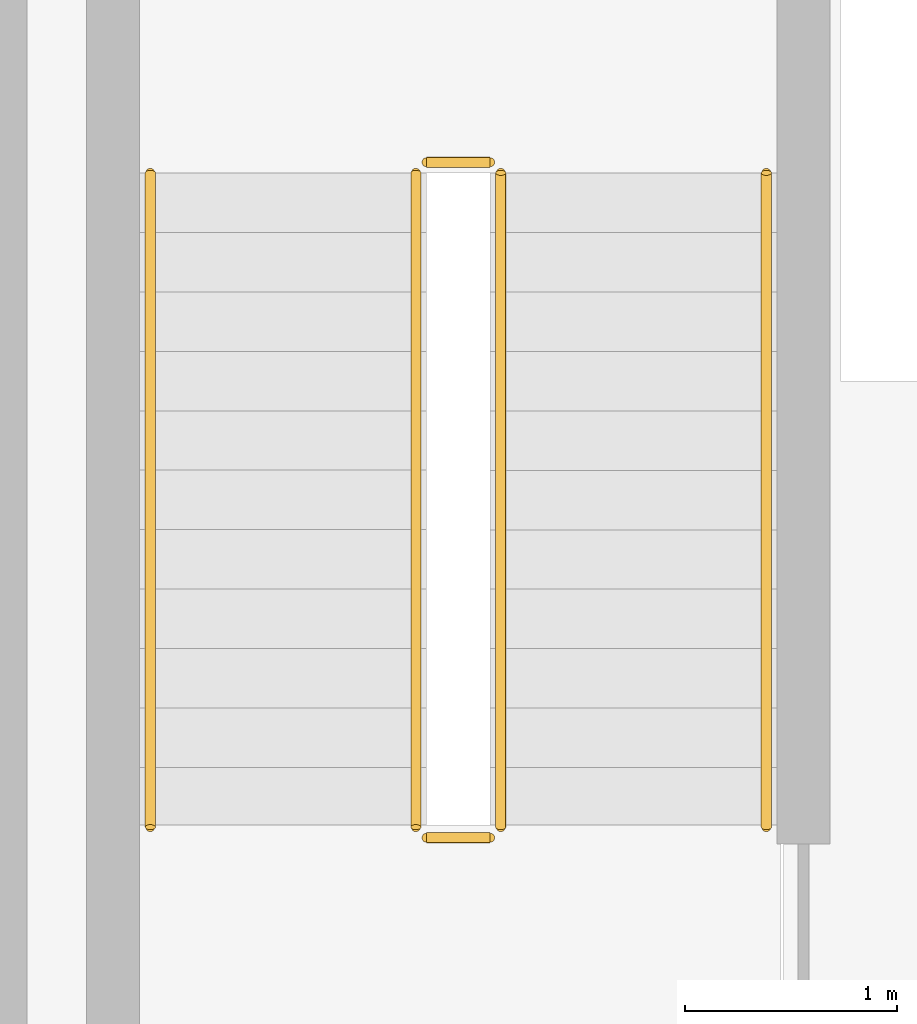
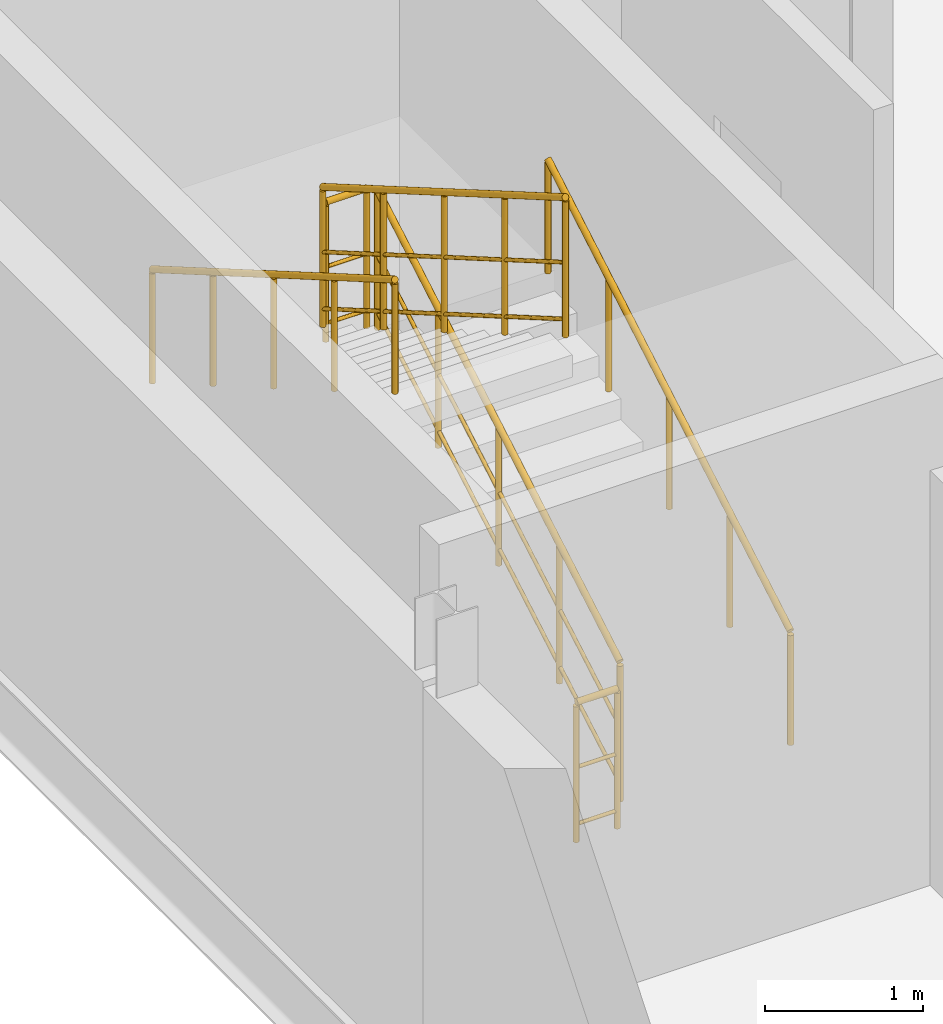
# One storey, part 14 of 14: 6 railings.
"""IFC4 building model written with IfcOpenShell, lengths in metres."""

import ifcopenshell
import ifcopenshell.guid

model = None  # the IFC model being written
_history = None  # IfcOwnerHistory: only IFC2X3 demands one
_inside = {}  # id of a spatial element -> (the spatial element, [elements in it])
_under = {}  # id of a project, library or spatial element -> (it, [spatial elements below it])
_declared = {}  # id of a project -> (the project, [libraries it declares])
_typed = {}  # id of a type object -> (the type object, [elements of that type])
_made_of = {}  # id of a material, layer set ... -> (it, [elements and type objects made of it])


def new_model(schema):
    """Start an empty IFC model of exactly this schema.

    Asked for "IFC4X3", IfcOpenShell would pick the latest addendum, in which some entities
    have other attributes; the version numbers below select the first issue.
    IFC2X3 requires an IfcOwnerHistory on every rooted entity: one is made here for all.
    """
    global model, _history
    if schema == "IFC4X3":
        model = ifcopenshell.file(schema_version=(4, 3, 0, 0))
    else:
        model = ifcopenshell.file(schema=schema)
    _inside.clear()
    _under.clear()
    _declared.clear()
    _typed.clear()
    _made_of.clear()
    _history = None
    if model.schema == "IFC2X3":
        org = make("IfcOrganization", Name="unknown")
        user = make(
            "IfcPersonAndOrganization",
            ThePerson=make("IfcPerson", FamilyName="unknown"),
            TheOrganization=org,
        )
        app = make(
            "IfcApplication",
            ApplicationDeveloper=org,
            Version="unknown",
            ApplicationFullName="unknown",
            ApplicationIdentifier="unknown",
        )
        _history = make(
            "IfcOwnerHistory",
            OwningUser=user,
            OwningApplication=app,
            ChangeAction="ADDED",
            CreationDate=0,
        )
    return model


def make(cls, **values):
    """One entity of the class cls with the attributes given. An attribute that is None is left unset."""
    return model.create_entity(
        cls, **{name: value for name, value in values.items() if value is not None}
    )


def rooted(cls, **values):
    """An entity with a GlobalId (a new one), such as an element, a storey or a relation."""
    return make(cls, GlobalId=ifcopenshell.guid.new(), OwnerHistory=_history, **values)


def si_unit(unit_type, name, prefix=None):
    """IfcSIUnit, for example si_unit("LENGTHUNIT", "METRE", prefix="MILLI")."""
    return make("IfcSIUnit", UnitType=unit_type, Prefix=prefix, Name=name)


def assignment(units):
    """IfcUnitAssignment: the units of a project."""
    return None if units is None else make("IfcUnitAssignment", Units=units)


def point(xyz):
    """IfcCartesianPoint."""
    return None if xyz is None else make("IfcCartesianPoint", Coordinates=xyz)


def direction(xyz):
    """IfcDirection."""
    return None if xyz is None else make("IfcDirection", DirectionRatios=xyz)


def frame(location, z_axis=None, x_axis=None):
    """IfcAxis2Placement3D, a coordinate frame: its origin and axes. An axis left out is left unset."""
    return make(
        "IfcAxis2Placement3D",
        Location=point(location),
        Axis=direction(z_axis),
        RefDirection=direction(x_axis),
    )


def frame_2d(location, x_axis=None):
    """IfcAxis2Placement2D, a coordinate frame in the plane: its origin and x axis."""
    return make(
        "IfcAxis2Placement2D", Location=point(location), RefDirection=direction(x_axis)
    )


def origin():
    """The frame at (0, 0, 0) with its axes left unset."""
    return frame((0.0, 0.0, 0.0))


def origin_2d():
    """The frame at (0, 0) in the plane with its x axis left unset."""
    return frame_2d((0.0, 0.0))


def place(relative_to, where):
    """IfcLocalPlacement: puts the frame where relative to a parent placement (None: the world)."""
    return make(
        "IfcLocalPlacement", PlacementRelTo=relative_to, RelativePlacement=where
    )


def context(
    kind, dimensions, precision=None, world=None, true_north=None, identifier=None
):
    """IfcGeometricRepresentationContext, for example the 3D "Model" context."""
    return make(
        "IfcGeometricRepresentationContext",
        ContextIdentifier=identifier,
        ContextType=kind,
        CoordinateSpaceDimension=dimensions,
        Precision=precision,
        WorldCoordinateSystem=world,
        TrueNorth=true_north,
    )


def subcontext(parent, identifier, kind, view, scale=None):
    """IfcGeometricRepresentationSubContext, for example "Body" below "Model"."""
    return make(
        "IfcGeometricRepresentationSubContext",
        ContextIdentifier=identifier,
        ContextType=kind,
        ParentContext=parent,
        TargetScale=scale,
        TargetView=view,
    )


def project(units=None, contexts=None):
    """IfcProject with its units and contexts."""
    return rooted(
        "IfcProject",
        Name="project",
        RepresentationContexts=contexts,
        UnitsInContext=assignment(units),
    )


def spatial(cls, under=None, at=None, **own):
    """A site, building, storey or space (cls), placed at a placement, below another one or the project."""
    s = rooted(cls, ObjectPlacement=at, **own)
    if under is not None:
        _under.setdefault(under.id(), (under, []))[1].append(s)
    return s


def profile(cls, at=None, kind="AREA", **sizes):
    """A parametric profile (cls). Its sizes go by their IFC names, for example OverallWidth=200.0."""
    return make(cls, ProfileType=kind, Position=at, **sizes)


def circle(**sizes):
    """IfcCircleProfileDef."""
    return profile("IfcCircleProfileDef", **sizes)


def extrude(swept, where, along, depth):
    """IfcExtrudedAreaSolid: the profile swept, set in the frame where, extruded along a direction by depth."""
    return make(
        "IfcExtrudedAreaSolid",
        SweptArea=swept,
        Position=where,
        ExtrudedDirection=direction(along),
        Depth=depth,
    )


def shape(context_of_items, identifier, shape_type, items):
    """IfcShapeRepresentation: the items that make up one representation, for example the "Body"."""
    return make(
        "IfcShapeRepresentation",
        ContextOfItems=context_of_items,
        RepresentationIdentifier=identifier,
        RepresentationType=shape_type,
        Items=items,
    )


def material(Name=None, Category=None):
    """IfcMaterial."""
    return make("IfcMaterial", Name=Name, Category=Category)


def made_of(thing, what):
    """Note that an element or type object is made of a material, layer set ...; save() writes the relation."""
    if what is not None:
        _made_of.setdefault(what.id(), (what, []))[1].append(thing)
    return thing


def type_object(cls, material=None, **own):
    """A type object (cls), such as IfcWallType, which elements share."""
    return made_of(rooted(cls, **own), material)


def element(
    cls,
    number,
    at=None,
    inside=None,
    cuts=None,
    type_object=None,
    material=None,
    context=None,
    identifier="Body",
    shape_type=None,
    held_by="IfcProductDefinitionShape",
    body=None,
    shapes=None,
    **own,
):
    """One element of the class cls, such as IfcWall. Its Tag is "e" and its number.

    at: its placement. inside: the storey or other place that contains it. cuts: it is an
    opening in that element (IfcRelVoidsElement). A single representation is given by context,
    identifier, shape_type and body (its items); several are given by shapes. held_by: the class
    of the entity that holds the representations. save() writes the other relations.
    """
    e = rooted(cls, Tag="e%d" % number, ObjectPlacement=at, **own)
    if body is not None:
        shapes = [shape(context, identifier, shape_type, body)]
    if shapes is not None:
        e.Representation = make(held_by, Representations=shapes)
    if inside is not None:
        _inside.setdefault(inside.id(), (inside, []))[1].append(e)
    if cuts is not None:
        rooted(
            "IfcRelVoidsElement", RelatingBuildingElement=cuts, RelatedOpeningElement=e
        )
    if type_object is not None:
        _typed.setdefault(type_object.id(), (type_object, []))[1].append(e)
    return made_of(e, material)


def aggregate(whole, parts):
    """IfcRelAggregates: a whole, such as a stair, and the parts it consists of."""
    return rooted("IfcRelAggregates", RelatingObject=whole, RelatedObjects=parts)


def save(model, path):
    """Write the relations noted so far, then the file.

    IfcRelAggregates (storeys below a building ...), IfcRelContainedInSpatialStructure (elements
    in a storey), IfcRelDefinesByType, IfcRelAssociatesMaterial and IfcRelDeclares: one each for
    every whole, place, type object, material and project.
    """
    for whole, parts in _under.values():
        aggregate(whole, parts)
    for where, things in _inside.values():
        rooted(
            "IfcRelContainedInSpatialStructure",
            RelatedElements=things,
            RelatingStructure=where,
        )
    for kind, things in _typed.values():
        rooted("IfcRelDefinesByType", RelatedObjects=things, RelatingType=kind)
    for what, things in _made_of.values():
        rooted("IfcRelAssociatesMaterial", RelatedObjects=things, RelatingMaterial=what)
    for by, libraries in _declared.values():
        rooted("IfcRelDeclares", RelatingContext=by, RelatedDefinitions=libraries)
    model.write(path)


model = new_model("IFC4")

# Units and contexts
model_context = context("Model", 3, precision=1e-05, world=origin(), true_north=direction((0.0, 1.0)))
body_context = subcontext(model_context, "Body", "Model", "MODEL_VIEW")
ifc_project = project(units=[si_unit("LENGTHUNIT", "METRE"), si_unit("AREAUNIT", "SQUARE_METRE"), si_unit("VOLUMEUNIT", "CUBIC_METRE"), si_unit("PLANEANGLEUNIT", "RADIAN"), si_unit("MASSUNIT", "GRAM", prefix="KILO")], contexts=[model_context])

# Site, building, storey
site_placement = place(None, origin())
site = spatial("IfcSite", under=ifc_project, at=site_placement, CompositionType="ELEMENT")
building_placement = place(site_placement, origin())
building = spatial("IfcBuilding", under=site, at=building_placement, Name="Vinh Khe Railworks Police Headquarters", CompositionType="ELEMENT")
storey_placement = place(building_placement, frame((0.0, 0.0, 32.699951171875)))
storey = spatial("IfcBuildingStorey", under=building, at=storey_placement, Name="L08", CompositionType="ELEMENT", Elevation=32.699951171875)

# Railings
ifc_material_1 = material(Name="Painted tubular steel", Category="steel")
railing_type_1 = type_object("IfcRailingType", Name="RL-GUARD-1100", PredefinedType="GUARDRAIL", material=ifc_material_1)
railing_1_placement = place(storey_placement, frame((3.0, 82.949951171875, 0.16259765625)))
element("IfcRailing", 1, at=railing_1_placement, inside=storey, type_object=railing_type_1, Name="L08 ST-02 stair guard 1", PredefinedType="GUARDRAIL", context=body_context, shape_type="SweptSolid", body=[
    extrude(circle(Radius=0.02392578125, at=origin_2d()), frame((0.0, 0.0, 1.076171875), z_axis=(0.0, 0.864920483161, 0.501908913857), x_axis=(-1.0, 0.0, 0.0)), (0.0, 0.0, 1.0), 3.56103515625),
    extrude(circle(Radius=0.01416015625, at=origin_2d()), frame((0.0, 0.0, 0.132080078125), z_axis=(0.0, 0.864920483161, 0.501908913857), x_axis=(-1.0, 0.0, 0.0)), (0.0, 0.0, 1.0), 3.56103515625),
    extrude(circle(Radius=0.01416015625, at=origin_2d()), frame((0.0, 0.0, 0.572021484375), z_axis=(0.0, 0.864920483161, 0.501908913857), x_axis=(-1.0, 0.0, 0.0)), (0.0, 0.0, 1.0), 3.56103515625),
    extrude(circle(Radius=0.02099609375, at=origin_2d()), origin(), (0.0, 0.0, 1.0), 1.052001953125),
    extrude(circle(Radius=0.02099609375, at=origin_2d()), frame((0.0, 0.77001953125, 0.44677734375)), (0.0, 0.0, 1.0), 1.052001953125),
    extrude(circle(Radius=0.02099609375, at=origin_2d()), frame((0.0, 1.5400390625, 0.8935546875)), (0.0, 0.0, 1.0), 1.052001953125),
    extrude(circle(Radius=0.02099609375, at=origin_2d()), frame((0.0, 2.31005859375, 1.340576171875)), (0.0, 0.0, 1.0), 1.052001953125),
    extrude(circle(Radius=0.02099609375, at=origin_2d()), frame((0.0, 3.080078125, 1.787353515625)), (0.0, 0.0, 1.0), 1.052001953125),
])
railing_2_placement = place(storey_placement, frame((2.949951171875, 86.080078125, 1.949951171875)))
element("IfcRailing", 2, at=railing_2_placement, inside=storey, type_object=railing_type_1, Name="L08 ST-02 stair guard 2", PredefinedType="GUARDRAIL", context=body_context, shape_type="SweptSolid", body=[
    extrude(circle(Radius=0.02392578125, at=origin_2d()), frame((0.0, 0.0, 1.076171875), z_axis=(-1.0, 0.0, 0.0), x_axis=(0.0, -1.0, 0.0)), (0.0, 0.0, 1.0), 0.300048828125),
    extrude(circle(Radius=0.01416015625, at=origin_2d()), frame((0.0, 0.0, 0.132080078125), z_axis=(-1.0, 0.0, 0.0), x_axis=(0.0, -1.0, 0.0)), (0.0, 0.0, 1.0), 0.300048828125),
    extrude(circle(Radius=0.01416015625, at=origin_2d()), frame((0.0, 0.0, 0.572021484375), z_axis=(-1.0, 0.0, 0.0), x_axis=(0.0, -1.0, 0.0)), (0.0, 0.0, 1.0), 0.300048828125),
    extrude(circle(Radius=0.02099609375, at=origin_2d()), origin(), (0.0, 0.0, 1.0), 1.052001953125),
    extrude(circle(Radius=0.02099609375, at=origin_2d()), frame((-0.300048828125, 0.0, 0.0)), (0.0, 0.0, 1.0), 1.052001953125),
])
railing_3_placement = place(storey_placement, frame((2.60009765625, 86.030029296875, 2.112548828125)))
element("IfcRailing", 3, at=railing_3_placement, inside=storey, type_object=railing_type_1, Name="L08 ST-02 stair guard 3", PredefinedType="GUARDRAIL", context=body_context, shape_type="SweptSolid", body=[
    extrude(circle(Radius=0.02392578125, at=origin_2d()), frame((0.0, 0.0, 1.076171875), z_axis=(0.0, -0.864890721111, 0.501960198159), x_axis=(1.0, 0.0, 0.0)), (0.0, 0.0, 1.0), 3.561279296875),
    extrude(circle(Radius=0.01416015625, at=origin_2d()), frame((0.0, 0.0, 0.132080078125), z_axis=(0.0, -0.864890721111, 0.501960198159), x_axis=(1.0, 0.0, 0.0)), (0.0, 0.0, 1.0), 3.561279296875),
    extrude(circle(Radius=0.01416015625, at=origin_2d()), frame((0.0, 0.0, 0.572021484375), z_axis=(0.0, -0.864890721111, 0.501960198159), x_axis=(1.0, 0.0, 0.0)), (0.0, 0.0, 1.0), 3.561279296875),
    extrude(circle(Radius=0.02099609375, at=origin_2d()), origin(), (0.0, 0.0, 1.0), 1.052001953125),
    extrude(circle(Radius=0.02099609375, at=origin_2d()), frame((0.0, -0.77001953125, 0.44677734375)), (0.0, 0.0, 1.0), 1.052001953125),
    extrude(circle(Radius=0.02099609375, at=origin_2d()), frame((0.0, -1.5400390625, 0.893798828125)), (0.0, 0.0, 1.0), 1.052001953125),
    extrude(circle(Radius=0.02099609375, at=origin_2d()), frame((0.0, -2.31005859375, 1.3408203125)), (0.0, 0.0, 1.0), 1.052001953125),
    extrude(circle(Radius=0.02099609375, at=origin_2d()), frame((0.0, -3.080078125, 1.78759765625)), (0.0, 0.0, 1.0), 1.052001953125),
])
railing_4_placement = place(storey_placement, frame((2.949951171875, 82.89990234375, 0.0)))
element("IfcRailing", 4, at=railing_4_placement, inside=storey, type_object=railing_type_1, Name="L08 ST-02 stair guard 4", PredefinedType="GUARDRAIL", context=body_context, shape_type="SweptSolid", body=[
    extrude(circle(Radius=0.02392578125, at=origin_2d()), frame((0.0, 0.0, 1.076171875), z_axis=(-1.0, 0.0, 0.0), x_axis=(0.0, -1.0, 0.0)), (0.0, 0.0, 1.0), 0.300048828125),
    extrude(circle(Radius=0.01416015625, at=origin_2d()), frame((0.0, 0.0, 0.132080078125), z_axis=(-1.0, 0.0, 0.0), x_axis=(0.0, -1.0, 0.0)), (0.0, 0.0, 1.0), 0.300048828125),
    extrude(circle(Radius=0.01416015625, at=origin_2d()), frame((0.0, 0.0, 0.572021484375), z_axis=(-1.0, 0.0, 0.0), x_axis=(0.0, -1.0, 0.0)), (0.0, 0.0, 1.0), 0.300048828125),
    extrude(circle(Radius=0.02099609375, at=origin_2d()), origin(), (0.0, 0.0, 1.0), 1.052001953125),
    extrude(circle(Radius=0.02099609375, at=origin_2d()), frame((-0.300048828125, 0.0, 0.0)), (0.0, 0.0, 1.0), 1.052001953125),
])
ifc_material_2 = material(Name="Brushed stainless steel", Category="steel")
railing_type_2 = type_object("IfcRailingType", Name="RL-HAND-900", PredefinedType="HANDRAIL", material=ifc_material_2)
railing_5_placement = place(storey_placement, frame((4.25, 82.949951171875, 0.16259765625)))
element("IfcRailing", 5, at=railing_5_placement, inside=storey, type_object=railing_type_2, Name="L08 ST-02 stair handrail 1", PredefinedType="HANDRAIL", context=body_context, shape_type="SweptSolid", body=[
    extrude(circle(Radius=0.02392578125, at=origin_2d()), frame((0.0, 0.0, 0.8759765625), z_axis=(0.0, 0.864920483161, 0.501908913857), x_axis=(-1.0, 0.0, 0.0)), (0.0, 0.0, 1.0), 3.56103515625),
    extrude(circle(Radius=0.02099609375, at=origin_2d()), origin(), (0.0, 0.0, 1.0), 0.851806640625),
    extrude(circle(Radius=0.02099609375, at=origin_2d()), frame((0.0, 0.77001953125, 0.44677734375)), (0.0, 0.0, 1.0), 0.851806640625),
    extrude(circle(Radius=0.02099609375, at=origin_2d()), frame((0.0, 1.5400390625, 0.8935546875)), (0.0, 0.0, 1.0), 0.851806640625),
    extrude(circle(Radius=0.02099609375, at=origin_2d()), frame((0.0, 2.31005859375, 1.340576171875)), (0.0, 0.0, 1.0), 0.851806640625),
    extrude(circle(Radius=0.02099609375, at=origin_2d()), frame((0.0, 3.080078125, 1.787353515625)), (0.0, 0.0, 1.0), 0.851806640625),
])
railing_6_placement = place(storey_placement, frame((1.35009765625, 86.030029296875, 2.112548828125)))
element("IfcRailing", 6, at=railing_6_placement, inside=storey, type_object=railing_type_2, Name="L08 ST-02 stair handrail 2", PredefinedType="HANDRAIL", context=body_context, shape_type="SweptSolid", body=[
    extrude(circle(Radius=0.02392578125, at=origin_2d()), frame((0.0, 0.0, 0.8759765625), z_axis=(0.0, -0.864890721111, 0.501960198159), x_axis=(1.0, 0.0, 0.0)), (0.0, 0.0, 1.0), 3.561279296875),
    extrude(circle(Radius=0.02099609375, at=origin_2d()), origin(), (0.0, 0.0, 1.0), 0.851806640625),
    extrude(circle(Radius=0.02099609375, at=origin_2d()), frame((0.0, -0.77001953125, 0.44677734375)), (0.0, 0.0, 1.0), 0.851806640625),
    extrude(circle(Radius=0.02099609375, at=origin_2d()), frame((0.0, -1.5400390625, 0.893798828125)), (0.0, 0.0, 1.0), 0.851806640625),
    extrude(circle(Radius=0.02099609375, at=origin_2d()), frame((0.0, -2.31005859375, 1.3408203125)), (0.0, 0.0, 1.0), 0.851806640625),
    extrude(circle(Radius=0.02099609375, at=origin_2d()), frame((0.0, -3.080078125, 1.78759765625)), (0.0, 0.0, 1.0), 0.851806640625),
])

save(model, "model.ifc")
